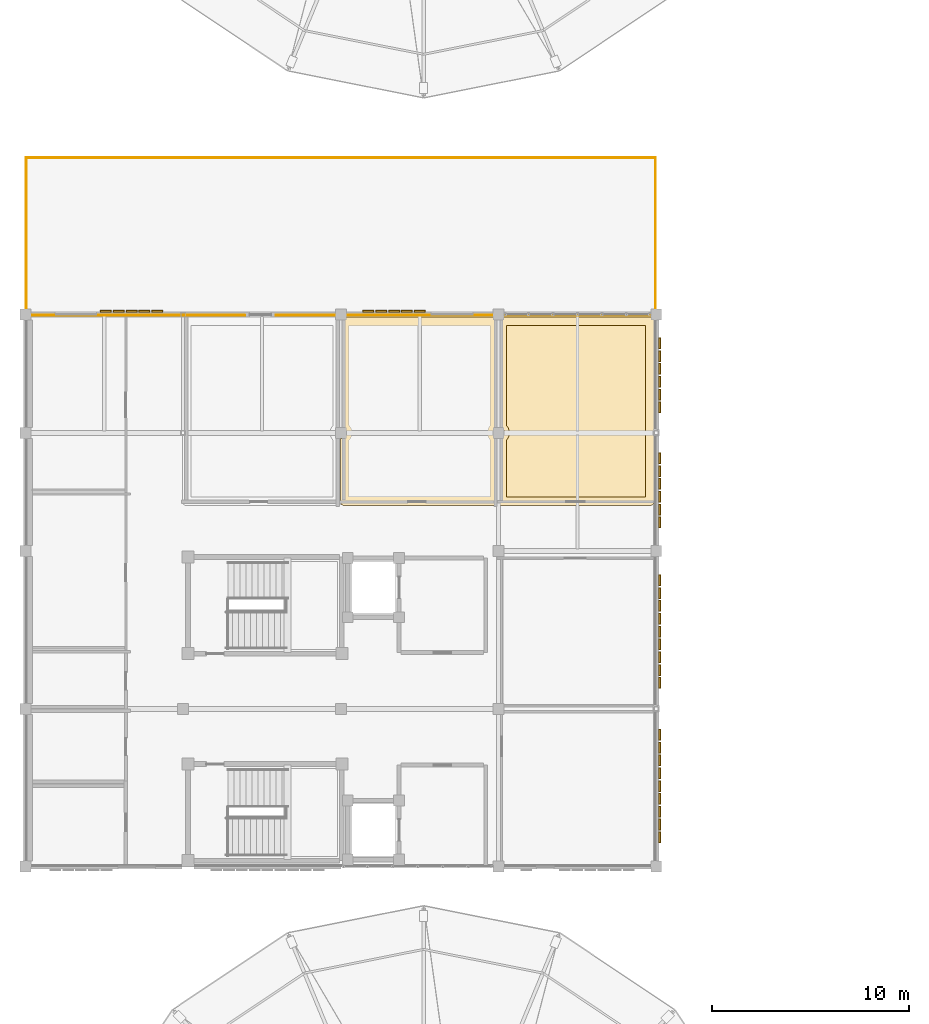
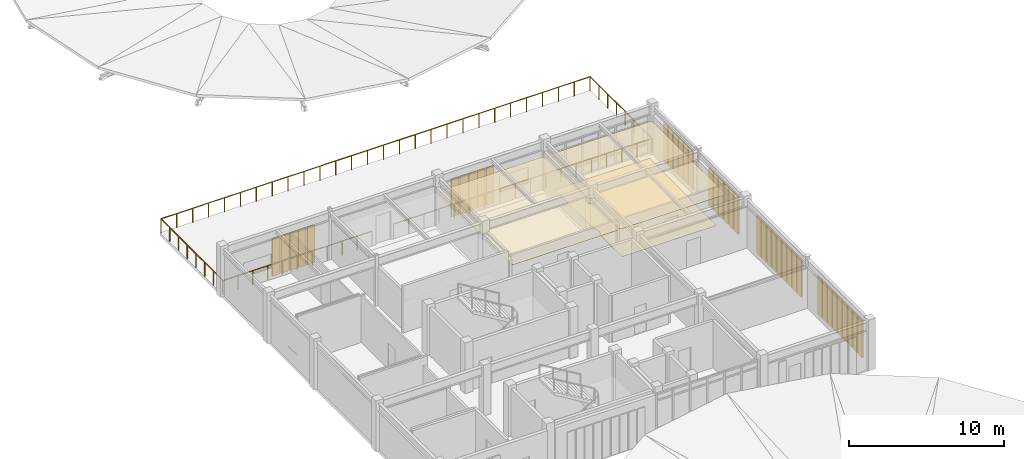
# One storey, part 30 of 31: 40 shading devices, 5 railings, 3 coverings.
"""IFC4 building model written with IfcOpenShell, lengths in metres."""

from ifc_helpers import new_model, si_unit, direction, frame, origin, origin_2d, place, context, subcontext, project, spatial, polyline, rectangle, circle, outline, extrude, material, layer, layer_set, type_object, element, save


model = new_model("IFC4")

# Units and contexts
model_context = context("Model", 3, precision=1e-05, world=origin(), true_north=direction((0.0, 1.0)))
body_context = subcontext(model_context, "Body", "Model", "MODEL_VIEW")
ifc_project = project(units=[si_unit("LENGTHUNIT", "METRE"), si_unit("AREAUNIT", "SQUARE_METRE"), si_unit("VOLUMEUNIT", "CUBIC_METRE"), si_unit("PLANEANGLEUNIT", "RADIAN"), si_unit("MASSUNIT", "GRAM", prefix="KILO")], contexts=[model_context])

# Site, building, storey
site_placement = place(None, origin())
site = spatial("IfcSite", under=ifc_project, at=site_placement, CompositionType="ELEMENT")
building_placement = place(site_placement, origin())
building = spatial("IfcBuilding", under=site, at=building_placement, Name="Celadon Cloister-Ring School", CompositionType="ELEMENT")
storey_placement = place(building_placement, frame((0.0, 0.0, 16.5)))
storey = spatial("IfcBuildingStorey", under=building, at=storey_placement, Name="L04", CompositionType="ELEMENT", Elevation=16.5)

# Coverings
ifc_material_1 = material(Name="Mineral-fibre acoustic ceiling board")
ifc_layer_1 = layer(ifc_material_1, 0.02001953125)
ifc_layer_set_1 = layer_set([ifc_layer_1], Name="Mineral-fibre acoustic ceiling board")
covering_type_1 = type_object("IfcCoveringType", Name="CV-CL1", PredefinedType="CEILING", material=ifc_layer_set_1)
covering_1_placement = place(storey_placement, frame((0.0, 0.0, 2.550048828125)))
element("IfcCovering", 1, at=covering_1_placement, inside=storey, type_object=covering_type_1, Name="Acoustic Ceiling 0028", PredefinedType="CEILING", context=body_context, shape_type="SweptSolid", body=[
    extrude(outline(polyline([(24.030029296875, 67.70703125), (24.030029296875, 62.29296875), (23.970947265625, 62.2939453125), (23.9140625, 62.281982421875), (23.861083984375, 62.260009765625), (23.81298828125, 62.22802734375), (23.77197265625, 62.18701171875), (23.739990234375, 62.138916015625), (23.718017578125, 62.0859375), (23.705078125, 62.0), (23.718017578125, 61.9140625), (23.739990234375, 61.861083984375), (23.77197265625, 61.81298828125), (23.81298828125, 61.77197265625), (23.861083984375, 61.739990234375), (23.9140625, 61.718017578125), (23.970947265625, 61.7060546875), (24.030029296875, 61.70703125), (24.030029296875, 58.5), (24.01611328125, 58.430908203125), (23.989013671875, 58.385986328125), (23.93505859375, 58.341064453125), (23.885009765625, 58.322998046875), (23.85009765625, 58.320068359375), (16.14990234375, 58.320068359375), (16.097900390625, 58.327880859375), (16.035888671875, 58.361083984375), (16.010986328125, 58.385986328125), (15.98388671875, 58.430908203125), (15.969970703125, 58.5), (15.969970703125, 61.70703125), (16.029052734375, 61.7060546875), (16.0859375, 61.718017578125), (16.138916015625, 61.739990234375), (16.18701171875, 61.77197265625), (16.22802734375, 61.81298828125), (16.260009765625, 61.861083984375), (16.281982421875, 61.9140625), (16.294921875, 62.0), (16.281982421875, 62.0859375), (16.260009765625, 62.138916015625), (16.22802734375, 62.18701171875), (16.18701171875, 62.22802734375), (16.138916015625, 62.260009765625), (16.0859375, 62.281982421875), (16.029052734375, 62.2939453125), (15.969970703125, 62.29296875), (15.969970703125, 67.70703125), (16.05810546875, 67.7109375), (16.138916015625, 67.739990234375), (16.208984375, 67.791015625), (16.2451171875, 67.8359375), (16.26904296875, 67.8798828125), (23.73095703125, 67.8798828125), (23.77197265625, 67.81298828125), (23.8359375, 67.7548828125), (23.9140625, 67.718017578125), (23.970947265625, 67.7060546875), (24.030029296875, 67.70703125)])), origin(), (0.0, 0.0, 1.0), 0.02001953125),
])
covering_2_placement = place(storey_placement, frame((0.0, 0.0, 2.550048828125)))
element("IfcCovering", 2, at=covering_2_placement, inside=storey, type_object=covering_type_1, Name="Acoustic Ceiling 0030", PredefinedType="CEILING", context=body_context, shape_type="SweptSolid", body=[
    extrude(outline(polyline([(24.26904296875, 67.8798828125), (31.73193359375, 67.876953125), (31.791015625, 67.791015625), (31.876953125, 67.73193359375), (31.8798828125, 67.699951171875), (31.8798828125, 62.050048828125), (31.8701171875, 62.0), (31.8798828125, 61.949951171875), (31.8798828125, 58.5), (31.865966796875, 58.430908203125), (31.839111328125, 58.385986328125), (31.784912109375, 58.341064453125), (31.735107421875, 58.322998046875), (31.699951171875, 58.320068359375), (24.14990234375, 58.320068359375), (24.097900390625, 58.327880859375), (24.035888671875, 58.361083984375), (24.010986328125, 58.385986328125), (23.98388671875, 58.430908203125), (23.969970703125, 58.5), (23.969970703125, 61.70703125), (24.029052734375, 61.7060546875), (24.0859375, 61.718017578125), (24.138916015625, 61.739990234375), (24.18701171875, 61.77197265625), (24.22802734375, 61.81298828125), (24.260009765625, 61.861083984375), (24.281982421875, 61.9140625), (24.294921875, 62.0), (24.281982421875, 62.0859375), (24.260009765625, 62.138916015625), (24.22802734375, 62.18701171875), (24.18701171875, 62.22802734375), (24.138916015625, 62.260009765625), (24.0859375, 62.281982421875), (24.029052734375, 62.2939453125), (23.969970703125, 62.29296875), (23.969970703125, 67.70703125), (24.05810546875, 67.7109375), (24.138916015625, 67.739990234375), (24.208984375, 67.791015625), (24.2451171875, 67.8359375), (24.26904296875, 67.8798828125)])), origin(), (0.0, 0.0, 1.0), 0.02001953125),
])
ifc_material_2 = material(Name="Polished cement-marble terrazzo tile", Category="masonry")
ifc_layer_2 = layer(ifc_material_2, 0.01806640625)
ifc_layer_set_2 = layer_set([ifc_layer_2], Name="Polished cement-marble terrazzo tile")
covering_type_2 = type_object("IfcCoveringType", Name="CV-FL1", PredefinedType="FLOORING", material=ifc_layer_set_2)
covering_3_placement = place(storey_placement, origin())
element("IfcCovering", 3, at=covering_3_placement, inside=storey, type_object=covering_type_2, Name="Terrazzo Flooring 0029", PredefinedType="FLOORING", context=body_context, shape_type="SweptSolid", body=[
    extrude(outline(polyline([(24.39990234375, 61.6298828125), (24.4130859375, 61.64501953125), (24.428955078125, 61.6640625), (24.446044921875, 61.68701171875), (24.4599609375, 61.7080078125), (24.47509765625, 61.73193359375), (24.486083984375, 61.75390625), (24.4990234375, 61.780029296875), (24.508056640625, 61.802978515625), (24.51806640625, 61.830078125), (24.52490234375, 61.85400390625), (24.531982421875, 61.882080078125), (24.537109375, 61.906005859375), (24.541015625, 61.93408203125), (24.54296875, 61.958984375), (24.544921875, 61.988037109375), (24.544921875, 62.011962890625), (24.54296875, 62.041015625), (24.541015625, 62.06591796875), (24.537109375, 62.093994140625), (24.531982421875, 62.117919921875), (24.52490234375, 62.14599609375), (24.51806640625, 62.169921875), (24.508056640625, 62.197021484375), (24.4990234375, 62.219970703125), (24.486083984375, 62.24609375), (24.47509765625, 62.26806640625), (24.4599609375, 62.2919921875), (24.446044921875, 62.31298828125), (24.428955078125, 62.3359375), (24.4130859375, 62.35498046875), (24.39990234375, 62.3701171875), (24.39990234375, 67.449951171875), (31.449951171875, 67.449951171875), (31.449951171875, 58.75), (24.39990234375, 58.75), (24.39990234375, 61.6298828125)])), origin(), (0.0, 0.0, 1.0), 0.01806640625),
])

# Railings
ifc_material_3 = material(Name="Structural steel S355JR", Category="steel")
railing_type = type_object("IfcRailingType", Name="RL-BL1", PredefinedType="BALUSTRADE", material=ifc_material_3)
railing_1_placement = place(storey_placement, frame((31.9599609375, 67.9599609375, 0.0)))
element("IfcRailing", 4, at=railing_1_placement, inside=storey, type_object=railing_type, Name="Terrace Balustrade 0458", PredefinedType="BALUSTRADE", context=body_context, shape_type="SweptSolid", body=[
    extrude(circle(Radius=0.02392578125, at=origin_2d()), frame((0.0, 0.0, 1.09619140625), z_axis=(-1.0, 0.0, 0.0), x_axis=(0.0, -1.0, 0.0)), (0.0, 0.0, 1.0), 19.243896484375),
    extrude(circle(Radius=0.02099609375, at=origin_2d()), origin(), (0.0, 0.0, 1.0), 1.072021484375),
    extrude(circle(Radius=0.02099609375, at=origin_2d()), frame((-1.132080078125, 0.0, 0.0)), (0.0, 0.0, 1.0), 1.072021484375),
    extrude(circle(Radius=0.02099609375, at=origin_2d()), frame((-2.263916015625, 0.0, 0.0)), (0.0, 0.0, 1.0), 1.072021484375),
    extrude(circle(Radius=0.02099609375, at=origin_2d()), frame((-3.39599609375, 0.0, 0.0)), (0.0, 0.0, 1.0), 1.072021484375),
    extrude(circle(Radius=0.02099609375, at=origin_2d()), frame((-4.528076171875, 0.0, 0.0)), (0.0, 0.0, 1.0), 1.072021484375),
    extrude(circle(Radius=0.02099609375, at=origin_2d()), frame((-5.659912109375, 0.0, 0.0)), (0.0, 0.0, 1.0), 1.072021484375),
    extrude(circle(Radius=0.02099609375, at=origin_2d()), frame((-6.7919921875, 0.0, 0.0)), (0.0, 0.0, 1.0), 1.072021484375),
    extrude(circle(Radius=0.02099609375, at=origin_2d()), frame((-7.924072265625, 0.0, 0.0)), (0.0, 0.0, 1.0), 1.072021484375),
    extrude(circle(Radius=0.02099609375, at=origin_2d()), frame((-9.055908203125, 0.0, 0.0)), (0.0, 0.0, 1.0), 1.072021484375),
    extrude(circle(Radius=0.02099609375, at=origin_2d()), frame((-10.18798828125, 0.0, 0.0)), (0.0, 0.0, 1.0), 1.072021484375),
    extrude(circle(Radius=0.02099609375, at=origin_2d()), frame((-11.31982421875, 0.0, 0.0)), (0.0, 0.0, 1.0), 1.072021484375),
    extrude(circle(Radius=0.02099609375, at=origin_2d()), frame((-12.451904296875, 0.0, 0.0)), (0.0, 0.0, 1.0), 1.072021484375),
    extrude(circle(Radius=0.02099609375, at=origin_2d()), frame((-13.583984375, 0.0, 0.0)), (0.0, 0.0, 1.0), 1.072021484375),
    extrude(circle(Radius=0.02099609375, at=origin_2d()), frame((-14.7158203125, 0.0, 0.0)), (0.0, 0.0, 1.0), 1.072021484375),
    extrude(circle(Radius=0.02099609375, at=origin_2d()), frame((-15.847900390625, 0.0, 0.0)), (0.0, 0.0, 1.0), 1.072021484375),
    extrude(circle(Radius=0.02099609375, at=origin_2d()), frame((-16.97998046875, 0.0, 0.0)), (0.0, 0.0, 1.0), 1.072021484375),
    extrude(circle(Radius=0.02099609375, at=origin_2d()), frame((-18.11181640625, 0.0, 0.0)), (0.0, 0.0, 1.0), 1.072021484375),
    extrude(circle(Radius=0.02099609375, at=origin_2d()), frame((-19.243896484375, 0.0, 0.0)), (0.0, 0.0, 1.0), 1.072021484375),
])
railing_2_placement = place(storey_placement, frame((11.1201171875, 67.9599609375, 0.0)))
element("IfcRailing", 5, at=railing_2_placement, inside=storey, type_object=railing_type, Name="Terrace Balustrade 0459", PredefinedType="BALUSTRADE", context=body_context, shape_type="SweptSolid", body=[
    extrude(circle(Radius=0.02392578125, at=origin_2d()), frame((0.0, 0.0, 1.09619140625), z_axis=(-1.0, 0.0, 0.0), x_axis=(0.0, -1.0, 0.0)), (0.0, 0.0, 1.0), 11.080078125),
    extrude(circle(Radius=0.02099609375, at=origin_2d()), origin(), (0.0, 0.0, 1.0), 1.072021484375),
    extrude(circle(Radius=0.02099609375, at=origin_2d()), frame((-1.10791015625, 0.0, 0.0)), (0.0, 0.0, 1.0), 1.072021484375),
    extrude(circle(Radius=0.02099609375, at=origin_2d()), frame((-2.216064453125, 0.0, 0.0)), (0.0, 0.0, 1.0), 1.072021484375),
    extrude(circle(Radius=0.02099609375, at=origin_2d()), frame((-3.323974609375, 0.0, 0.0)), (0.0, 0.0, 1.0), 1.072021484375),
    extrude(circle(Radius=0.02099609375, at=origin_2d()), frame((-4.43212890625, 0.0, 0.0)), (0.0, 0.0, 1.0), 1.072021484375),
    extrude(circle(Radius=0.02099609375, at=origin_2d()), frame((-5.5400390625, 0.0, 0.0)), (0.0, 0.0, 1.0), 1.072021484375),
    extrude(circle(Radius=0.02099609375, at=origin_2d()), frame((-6.64794921875, 0.0, 0.0)), (0.0, 0.0, 1.0), 1.072021484375),
    extrude(circle(Radius=0.02099609375, at=origin_2d()), frame((-7.756103515625, 0.0, 0.0)), (0.0, 0.0, 1.0), 1.072021484375),
    extrude(circle(Radius=0.02099609375, at=origin_2d()), frame((-8.864013671875, 0.0, 0.0)), (0.0, 0.0, 1.0), 1.072021484375),
    extrude(circle(Radius=0.02099609375, at=origin_2d()), frame((-9.97216796875, 0.0, 0.0)), (0.0, 0.0, 1.0), 1.072021484375),
    extrude(circle(Radius=0.02099609375, at=origin_2d()), frame((-11.080078125, 0.0, 0.0)), (0.0, 0.0, 1.0), 1.072021484375),
])
railing_3_placement = place(storey_placement, frame((0.0400390625, 68.0400390625, 0.0)))
element("IfcRailing", 6, at=railing_3_placement, inside=storey, type_object=railing_type, Name="Terrace Balustrade 0466", PredefinedType="BALUSTRADE", context=body_context, shape_type="SweptSolid", body=[
    extrude(circle(Radius=0.02392578125, at=origin_2d()), frame((0.0, 0.0, 1.09619140625), z_axis=(0.0, 1.0, 0.0), x_axis=(-1.0, 0.0, 0.0)), (0.0, 0.0, 1.0), 7.919921875),
    extrude(circle(Radius=0.02099609375, at=origin_2d()), origin(), (0.0, 0.0, 1.0), 1.072021484375),
    extrude(circle(Radius=0.02099609375, at=origin_2d()), frame((0.0, 1.13134765625, 0.0)), (0.0, 0.0, 1.0), 1.072021484375),
    extrude(circle(Radius=0.02099609375, at=origin_2d()), frame((0.0, 2.262939453125, 0.0)), (0.0, 0.0, 1.0), 1.072021484375),
    extrude(circle(Radius=0.02099609375, at=origin_2d()), frame((0.0, 3.394287109375, 0.0)), (0.0, 0.0, 1.0), 1.072021484375),
    extrude(circle(Radius=0.02099609375, at=origin_2d()), frame((0.0, 4.525634765625, 0.0)), (0.0, 0.0, 1.0), 1.072021484375),
    extrude(circle(Radius=0.02099609375, at=origin_2d()), frame((0.0, 5.656982421875, 0.0)), (0.0, 0.0, 1.0), 1.072021484375),
    extrude(circle(Radius=0.02099609375, at=origin_2d()), frame((0.0, 6.78857421875, 0.0)), (0.0, 0.0, 1.0), 1.072021484375),
    extrude(circle(Radius=0.02099609375, at=origin_2d()), frame((0.0, 7.919921875, 0.0)), (0.0, 0.0, 1.0), 1.072021484375),
])
railing_4_placement = place(storey_placement, frame((0.0400390625, 75.9599609375, 0.0)))
element("IfcRailing", 7, at=railing_4_placement, inside=storey, type_object=railing_type, Name="Terrace Balustrade 0467", PredefinedType="BALUSTRADE", context=body_context, shape_type="SweptSolid", body=[
    extrude(circle(Radius=0.02392578125, at=origin_2d()), frame((0.0, 0.0, 1.09619140625), z_axis=(1.0, 0.0, 0.0), x_axis=(0.0, 1.0, 0.0)), (0.0, 0.0, 1.0), 31.919921875),
    extrude(circle(Radius=0.02099609375, at=origin_2d()), origin(), (0.0, 0.0, 1.0), 1.072021484375),
    extrude(circle(Radius=0.02099609375, at=origin_2d()), frame((1.18212890625, 0.0, 0.0)), (0.0, 0.0, 1.0), 1.072021484375),
    extrude(circle(Radius=0.02099609375, at=origin_2d()), frame((2.364501953125, 0.0, 0.0)), (0.0, 0.0, 1.0), 1.072021484375),
    extrude(circle(Radius=0.02099609375, at=origin_2d()), frame((3.546630859375, 0.0, 0.0)), (0.0, 0.0, 1.0), 1.072021484375),
    extrude(circle(Radius=0.02099609375, at=origin_2d()), frame((4.728759765625, 0.0, 0.0)), (0.0, 0.0, 1.0), 1.072021484375),
    extrude(circle(Radius=0.02099609375, at=origin_2d()), frame((5.9111328125, 0.0, 0.0)), (0.0, 0.0, 1.0), 1.072021484375),
    extrude(circle(Radius=0.02099609375, at=origin_2d()), frame((7.09326171875, 0.0, 0.0)), (0.0, 0.0, 1.0), 1.072021484375),
    extrude(circle(Radius=0.02099609375, at=origin_2d()), frame((8.275634765625, 0.0, 0.0)), (0.0, 0.0, 1.0), 1.072021484375),
    extrude(circle(Radius=0.02099609375, at=origin_2d()), frame((9.457763671875, 0.0, 0.0)), (0.0, 0.0, 1.0), 1.072021484375),
    extrude(circle(Radius=0.02099609375, at=origin_2d()), frame((10.639892578125, 0.0, 0.0)), (0.0, 0.0, 1.0), 1.072021484375),
    extrude(circle(Radius=0.02099609375, at=origin_2d()), frame((11.822265625, 0.0, 0.0)), (0.0, 0.0, 1.0), 1.072021484375),
    extrude(circle(Radius=0.02099609375, at=origin_2d()), frame((13.00439453125, 0.0, 0.0)), (0.0, 0.0, 1.0), 1.072021484375),
    extrude(circle(Radius=0.02099609375, at=origin_2d()), frame((14.1865234375, 0.0, 0.0)), (0.0, 0.0, 1.0), 1.072021484375),
    extrude(circle(Radius=0.02099609375, at=origin_2d()), frame((15.368896484375, 0.0, 0.0)), (0.0, 0.0, 1.0), 1.072021484375),
    extrude(circle(Radius=0.02099609375, at=origin_2d()), frame((16.551025390625, 0.0, 0.0)), (0.0, 0.0, 1.0), 1.072021484375),
    extrude(circle(Radius=0.02099609375, at=origin_2d()), frame((17.7333984375, 0.0, 0.0)), (0.0, 0.0, 1.0), 1.072021484375),
    extrude(circle(Radius=0.02099609375, at=origin_2d()), frame((18.91552734375, 0.0, 0.0)), (0.0, 0.0, 1.0), 1.072021484375),
    extrude(circle(Radius=0.02099609375, at=origin_2d()), frame((20.09765625, 0.0, 0.0)), (0.0, 0.0, 1.0), 1.072021484375),
    extrude(circle(Radius=0.02099609375, at=origin_2d()), frame((21.280029296875, 0.0, 0.0)), (0.0, 0.0, 1.0), 1.072021484375),
    extrude(circle(Radius=0.02099609375, at=origin_2d()), frame((22.462158203125, 0.0, 0.0)), (0.0, 0.0, 1.0), 1.072021484375),
    extrude(circle(Radius=0.02099609375, at=origin_2d()), frame((23.644287109375, 0.0, 0.0)), (0.0, 0.0, 1.0), 1.072021484375),
    extrude(circle(Radius=0.02099609375, at=origin_2d()), frame((24.82666015625, 0.0, 0.0)), (0.0, 0.0, 1.0), 1.072021484375),
    extrude(circle(Radius=0.02099609375, at=origin_2d()), frame((26.0087890625, 0.0, 0.0)), (0.0, 0.0, 1.0), 1.072021484375),
    extrude(circle(Radius=0.02099609375, at=origin_2d()), frame((27.191162109375, 0.0, 0.0)), (0.0, 0.0, 1.0), 1.072021484375),
    extrude(circle(Radius=0.02099609375, at=origin_2d()), frame((28.373291015625, 0.0, 0.0)), (0.0, 0.0, 1.0), 1.072021484375),
    extrude(circle(Radius=0.02099609375, at=origin_2d()), frame((29.555419921875, 0.0, 0.0)), (0.0, 0.0, 1.0), 1.072021484375),
    extrude(circle(Radius=0.02099609375, at=origin_2d()), frame((30.73779296875, 0.0, 0.0)), (0.0, 0.0, 1.0), 1.072021484375),
    extrude(circle(Radius=0.02099609375, at=origin_2d()), frame((31.919921875, 0.0, 0.0)), (0.0, 0.0, 1.0), 1.072021484375),
])
railing_5_placement = place(storey_placement, frame((31.9599609375, 75.9599609375, 0.0)))
element("IfcRailing", 8, at=railing_5_placement, inside=storey, type_object=railing_type, Name="Terrace Balustrade 0468", PredefinedType="BALUSTRADE", context=body_context, shape_type="SweptSolid", body=[
    extrude(circle(Radius=0.02392578125, at=origin_2d()), frame((0.0, 0.0, 1.09619140625), z_axis=(0.0, -1.0, 0.0), x_axis=(1.0, 0.0, 0.0)), (0.0, 0.0, 1.0), 7.919921875),
    extrude(circle(Radius=0.02099609375, at=origin_2d()), origin(), (0.0, 0.0, 1.0), 1.072021484375),
    extrude(circle(Radius=0.02099609375, at=origin_2d()), frame((0.0, -1.13134765625, 0.0)), (0.0, 0.0, 1.0), 1.072021484375),
    extrude(circle(Radius=0.02099609375, at=origin_2d()), frame((0.0, -2.262939453125, 0.0)), (0.0, 0.0, 1.0), 1.072021484375),
    extrude(circle(Radius=0.02099609375, at=origin_2d()), frame((0.0, -3.394287109375, 0.0)), (0.0, 0.0, 1.0), 1.072021484375),
    extrude(circle(Radius=0.02099609375, at=origin_2d()), frame((0.0, -4.525634765625, 0.0)), (0.0, 0.0, 1.0), 1.072021484375),
    extrude(circle(Radius=0.02099609375, at=origin_2d()), frame((0.0, -5.656982421875, 0.0)), (0.0, 0.0, 1.0), 1.072021484375),
    extrude(circle(Radius=0.02099609375, at=origin_2d()), frame((0.0, -6.78857421875, 0.0)), (0.0, 0.0, 1.0), 1.072021484375),
    extrude(circle(Radius=0.02099609375, at=origin_2d()), frame((0.0, -7.919921875, 0.0)), (0.0, 0.0, 1.0), 1.072021484375),
])

# Shading devices
ifc_material_4 = material(Name="Glazed celadon architectural terracotta", Category="masonry")
shading_device_type = type_object("IfcShadingDeviceType", Name="SD-01", PredefinedType="USERDEFINED", material=ifc_material_4)
for number, where, z_axis, x_axis, name in (
    (9, (4.08203125, 68.172119140625, 0.0), (0.0, 0.0, 1.0), (1.0, 0.0, 0.0), "Celadon Sunshade Screen 0291"),
    (10, (4.73193359375, 68.172119140625, 0.0), (0.0, 0.0, 1.0), (1.0, 0.0, 0.0), "Celadon Sunshade Screen 0292"),
    (11, (5.383056640625, 68.172119140625, 0.0), (0.0, 0.0, 1.0), (1.0, 0.0, 0.0), "Celadon Sunshade Screen 0293"),
    (12, (6.031982421875, 68.172119140625, 0.0), (0.0, 0.0, 1.0), (1.0, 0.0, 0.0), "Celadon Sunshade Screen 0294"),
    (13, (6.68310546875, 68.172119140625, 0.0), (0.0, 0.0, 1.0), (1.0, 0.0, 0.0), "Celadon Sunshade Screen 0295"),
    (14, (17.39990234375, 68.172119140625, 0.0), (0.0, 0.0, 1.0), (1.0, 0.0, 0.0), "Celadon Sunshade Screen 0296"),
    (15, (18.050048828125, 68.172119140625, 0.0), (0.0, 0.0, 1.0), (1.0, 0.0, 0.0), "Celadon Sunshade Screen 0297"),
    (16, (18.699951171875, 68.172119140625, 0.0), (0.0, 0.0, 1.0), (1.0, 0.0, 0.0), "Celadon Sunshade Screen 0298"),
    (17, (19.35009765625, 68.172119140625, 0.0), (0.0, 0.0, 1.0), (1.0, 0.0, 0.0), "Celadon Sunshade Screen 0299"),
    (18, (20.0, 68.172119140625, 0.0), (0.0, 0.0, 1.0), (1.0, 0.0, 0.0), "Celadon Sunshade Screen 0300"),
    (19, (32.172119140625, 66.54296875, 0.0), (0.0, 0.0, 1.0), (0.0, -1.0, 0.0), "Celadon Sunshade Screen 0301"),
    (20, (32.172119140625, 65.89208984375, 0.0), (0.0, 0.0, 1.0), (0.0, -1.0, 0.0), "Celadon Sunshade Screen 0302"),
    (21, (32.172119140625, 65.242919921875, 0.0), (0.0, 0.0, 1.0), (0.0, -1.0, 0.0), "Celadon Sunshade Screen 0303"),
    (22, (32.172119140625, 64.593017578125, 0.0), (0.0, 0.0, 1.0), (0.0, -1.0, 0.0), "Celadon Sunshade Screen 0304"),
    (23, (32.172119140625, 63.943115234375, 0.0), (0.0, 0.0, 1.0), (0.0, -1.0, 0.0), "Celadon Sunshade Screen 0305"),
    (24, (32.172119140625, 63.29296875, 0.0), (0.0, 0.0, 1.0), (0.0, -1.0, 0.0), "Celadon Sunshade Screen 0306"),
    (25, (32.172119140625, 60.70703125, 0.0), (0.0, 0.0, 1.0), (0.0, -1.0, 0.0), "Celadon Sunshade Screen 0307"),
    (26, (32.172119140625, 60.056884765625, 0.0), (0.0, 0.0, 1.0), (0.0, -1.0, 0.0), "Celadon Sunshade Screen 0308"),
    (27, (32.172119140625, 59.406982421875, 0.0), (0.0, 0.0, 1.0), (0.0, -1.0, 0.0), "Celadon Sunshade Screen 0309"),
    (28, (32.172119140625, 58.758056640625, 0.0), (0.0, 0.0, 1.0), (0.0, -1.0, 0.0), "Celadon Sunshade Screen 0310"),
    (29, (32.172119140625, 58.10791015625, 0.0), (0.0, 0.0, 1.0), (0.0, -1.0, 0.0), "Celadon Sunshade Screen 0311"),
    (30, (32.172119140625, 57.45703125, 0.0), (0.0, 0.0, 1.0), (0.0, -1.0, 0.0), "Celadon Sunshade Screen 0312"),
    (31, (32.172119140625, 54.51708984375, 0.0), (0.0, 0.0, 1.0), (0.0, -1.0, 0.0), "Celadon Sunshade Screen 0313"),
    (32, (32.172119140625, 53.866943359375, 0.0), (0.0, 0.0, 1.0), (0.0, -1.0, 0.0), "Celadon Sunshade Screen 0314"),
    (33, (32.172119140625, 53.218017578125, 0.0), (0.0, 0.0, 1.0), (0.0, -1.0, 0.0), "Celadon Sunshade Screen 0315"),
    (34, (32.172119140625, 52.568115234375, 0.0), (0.0, 0.0, 1.0), (0.0, -1.0, 0.0), "Celadon Sunshade Screen 0316"),
    (35, (32.172119140625, 51.91796875, 0.0), (0.0, 0.0, 1.0), (0.0, -1.0, 0.0), "Celadon Sunshade Screen 0317"),
    (36, (32.172119140625, 51.26708984375, 0.0), (0.0, 0.0, 1.0), (0.0, -1.0, 0.0), "Celadon Sunshade Screen 0318"),
    (37, (32.172119140625, 50.616943359375, 0.0), (0.0, 0.0, 1.0), (0.0, -1.0, 0.0), "Celadon Sunshade Screen 0319"),
    (38, (32.172119140625, 49.968017578125, 0.0), (0.0, 0.0, 1.0), (0.0, -1.0, 0.0), "Celadon Sunshade Screen 0320"),
    (39, (32.172119140625, 49.318115234375, 0.0), (0.0, 0.0, 1.0), (0.0, -1.0, 0.0), "Celadon Sunshade Screen 0321"),
    (40, (32.172119140625, 46.681884765625, 0.0), (0.0, 0.0, 1.0), (0.0, -1.0, 0.0), "Celadon Sunshade Screen 0322"),
    (41, (32.172119140625, 46.031982421875, 0.0), (0.0, 0.0, 1.0), (0.0, -1.0, 0.0), "Celadon Sunshade Screen 0323"),
    (42, (32.172119140625, 45.383056640625, 0.0), (0.0, 0.0, 1.0), (0.0, -1.0, 0.0), "Celadon Sunshade Screen 0324"),
    (43, (32.172119140625, 44.73291015625, 0.0), (0.0, 0.0, 1.0), (0.0, -1.0, 0.0), "Celadon Sunshade Screen 0325"),
    (44, (32.172119140625, 44.08203125, 0.0), (0.0, 0.0, 1.0), (0.0, -1.0, 0.0), "Celadon Sunshade Screen 0326"),
    (45, (32.172119140625, 43.431884765625, 0.0), (0.0, 0.0, 1.0), (0.0, -1.0, 0.0), "Celadon Sunshade Screen 0327"),
    (46, (32.172119140625, 42.781982421875, 0.0), (0.0, 0.0, 1.0), (0.0, -1.0, 0.0), "Celadon Sunshade Screen 0328"),
    (47, (32.172119140625, 42.133056640625, 0.0), (0.0, 0.0, 1.0), (0.0, -1.0, 0.0), "Celadon Sunshade Screen 0329"),
    (48, (32.172119140625, 41.48291015625, 0.0), (0.0, 0.0, 1.0), (0.0, -1.0, 0.0), "Celadon Sunshade Screen 0330"),
):
    element("IfcShadingDevice", number, at=place(storey_placement, frame(where, z_axis=z_axis, x_axis=x_axis)), inside=storey, type_object=shading_device_type, Name=name, ObjectType="SUNSHADE", PredefinedType="USERDEFINED", context=body_context, shape_type="SweptSolid", body=[
        extrude(rectangle(XDim=0.56005859375, YDim=0.090087890625, at=origin_2d()), origin(), (0.0, 0.0, 1.0), 2.949951171875),
    ])

save(model, "model.ifc")
